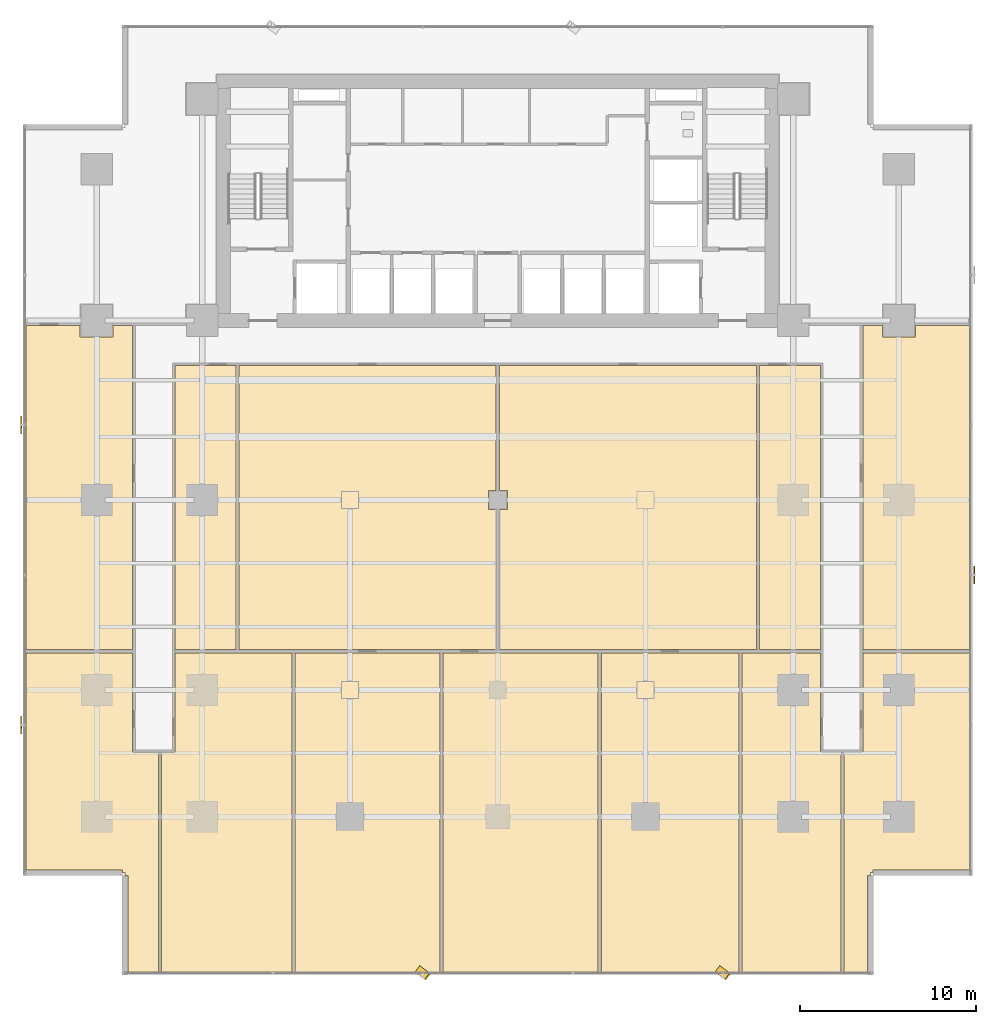
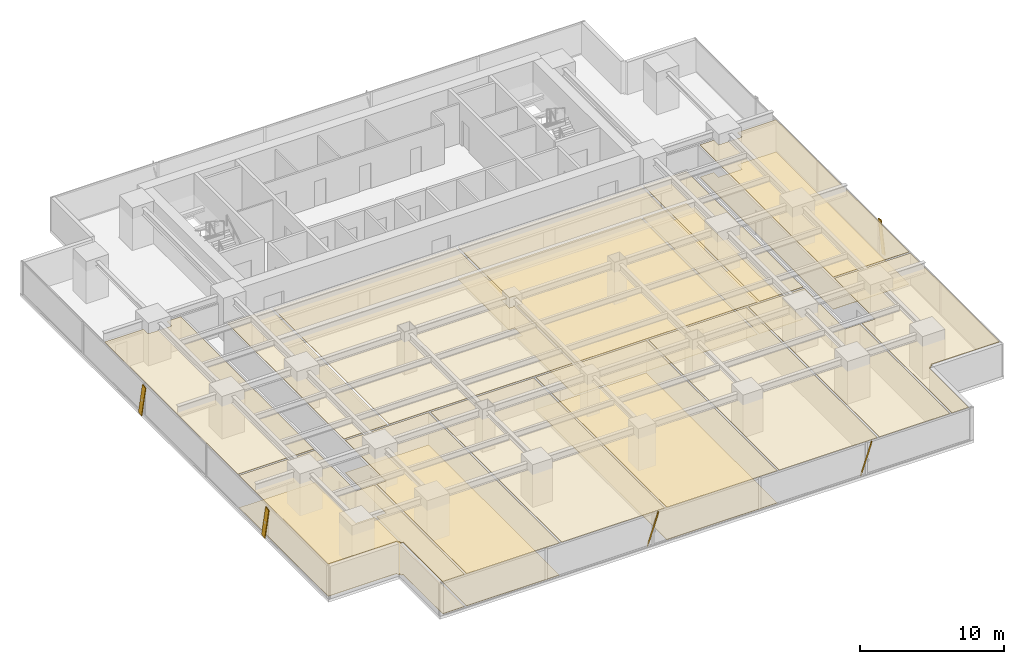
# One storey, part 30 of 34: 19 coverings, 5 shading devices.
"""IFC4 building model written with IfcOpenShell, lengths in metres."""

from ifc_helpers import new_model, si_unit, direction, frame, origin, origin_2d, place, context, subcontext, project, spatial, polyline, rectangle, outline, extrude, source, transform, mapped, material, layer, layer_set, material_profile, profile_set, type_object, element, save


model = new_model("IFC4")

# Units and contexts
model_context = context("Model", 3, precision=1e-05, world=origin(), true_north=direction((0.0, 1.0)))
body_context = subcontext(model_context, "Body", "Model", "MODEL_VIEW")
ifc_project = project(units=[si_unit("LENGTHUNIT", "METRE"), si_unit("AREAUNIT", "SQUARE_METRE"), si_unit("VOLUMEUNIT", "CUBIC_METRE"), si_unit("PLANEANGLEUNIT", "RADIAN"), si_unit("MASSUNIT", "GRAM", prefix="KILO")], contexts=[model_context])

# Site, building, storey
site_placement = place(None, origin())
site = spatial("IfcSite", under=ifc_project, at=site_placement, CompositionType="ELEMENT")
building_placement = place(site_placement, origin())
building = spatial("IfcBuilding", under=site, at=building_placement, Name="Sumidabori Civic Tower", CompositionType="ELEMENT")
storey_placement = place(building_placement, frame((0.0, 0.0, 41.60009765625)))
storey = spatial("IfcBuildingStorey", under=building, at=storey_placement, Name="L10", CompositionType="ELEMENT", Elevation=41.60009765625)

# Coverings
ifc_material_1 = material(Name="Perforated Timber Acoustic Ceiling", Category="wood")
ifc_layer_1 = layer(ifc_material_1, 0.044921875, Name="Perforated Timber Acoustic Ceiling")
ifc_layer_set_1 = layer_set([ifc_layer_1], Name="Perforated Timber Acoustic Ceiling")
covering_type_1 = type_object("IfcCoveringType", Name="CV-CEIL-AC2", PredefinedType="CEILING", material=ifc_layer_set_1)
covering_1_placement = place(storey_placement, frame((0.0, 0.0, 2.7099609375)))
element("IfcCovering", 1, at=covering_1_placement, inside=storey, type_object=covering_type_1, Name="Room Acoustic Ceiling L10-02", PredefinedType="CEILING", context=body_context, shape_type="SweptSolid", body=[
    extrude(outline(polyline([(-26.830078125, -8.512451171875), (-26.830078125, 9.91259765625), (-23.739990234375, 9.91259765625), (-23.739990234375, 9.260009765625), (-21.860107421875, 9.260009765625), (-21.860107421875, 9.91259765625), (-20.7548828125, 9.91259765625), (-20.7548828125, -8.512451171875), (-26.830078125, -8.512451171875)])), origin(), (0.0, 0.0, 1.0), 0.044921875),
])
covering_2_placement = place(storey_placement, frame((0.0, 0.0, 2.7099609375)))
element("IfcCovering", 2, at=covering_2_placement, inside=storey, type_object=covering_type_1, Name="Room Acoustic Ceiling L10-03", PredefinedType="CEILING", context=body_context, shape_type="SweptSolid", body=[
    extrude(outline(polyline([(20.7548828125, 9.91259765625), (21.860107421875, 9.91259765625), (21.860107421875, 9.260009765625), (23.739990234375, 9.260009765625), (23.739990234375, 9.91259765625), (26.830078125, 9.91259765625), (26.830078125, -8.512451171875), (20.7548828125, -8.512451171875), (20.7548828125, 9.91259765625)])), origin(), (0.0, 0.0, 1.0), 0.044921875),
])
covering_3_placement = place(storey_placement, frame((0.0, 0.0, 2.7099609375)))
element("IfcCovering", 3, at=covering_3_placement, inside=storey, type_object=covering_type_1, Name="Room Acoustic Ceiling L10-04", PredefinedType="CEILING", context=body_context, shape_type="SweptSolid", body=[
    extrude(outline(polyline([(-14.71240234375, 7.64501953125), (-0.08740234375, 7.64501953125), (-0.08740234375, 0.5400390625), (-0.5400390625, 0.5400390625), (-0.5400390625, -0.5400390625), (-0.08740234375, -0.5400390625), (-0.08740234375, -8.512451171875), (-14.71240234375, -8.512451171875), (-14.71240234375, 7.64501953125)])), origin(), (0.0, 0.0, 1.0), 0.044921875),
])
covering_4_placement = place(storey_placement, frame((0.0, 0.0, 2.7099609375)))
element("IfcCovering", 4, at=covering_4_placement, inside=storey, type_object=covering_type_1, Name="Room Acoustic Ceiling L10-05", PredefinedType="CEILING", context=body_context, shape_type="SweptSolid", body=[
    extrude(outline(polyline([(0.08740234375, -0.5400390625), (0.5400390625, -0.5400390625), (0.5400390625, 0.5400390625), (0.08740234375, 0.5400390625), (0.08740234375, 7.64501953125), (14.71240234375, 7.64501953125), (14.71240234375, -8.512451171875), (0.08740234375, -8.512451171875), (0.08740234375, -0.5400390625)])), origin(), (0.0, 0.0, 1.0), 0.044921875),
])
covering_5_placement = place(storey_placement, frame((0.0, 0.0, 2.7099609375)))
element("IfcCovering", 5, at=covering_5_placement, inside=storey, type_object=covering_type_1, Name="Room Acoustic Ceiling L10-06", PredefinedType="CEILING", context=body_context, shape_type="SweptSolid", body=[
    extrude(outline(polyline([(-18.344970703125, 7.64501953125), (-14.887451171875, 7.64501953125), (-14.887451171875, -8.512451171875), (-18.344970703125, -8.512451171875), (-18.344970703125, 7.64501953125)])), origin(), (0.0, 0.0, 1.0), 0.044921875),
])
covering_6_placement = place(storey_placement, frame((0.0, 0.0, 2.7099609375)))
element("IfcCovering", 6, at=covering_6_placement, inside=storey, type_object=covering_type_1, Name="Room Acoustic Ceiling L10-07", PredefinedType="CEILING", context=body_context, shape_type="SweptSolid", body=[
    extrude(outline(polyline([(14.887451171875, 7.64501953125), (18.344970703125, 7.64501953125), (18.344970703125, -8.512451171875), (14.887451171875, -8.512451171875), (14.887451171875, 7.64501953125)])), origin(), (0.0, 0.0, 1.0), 0.044921875),
])
covering_7_placement = place(storey_placement, frame((0.0, 0.0, 2.7099609375)))
element("IfcCovering", 7, at=covering_7_placement, inside=storey, type_object=covering_type_1, Name="Room Acoustic Ceiling L10-08", PredefinedType="CEILING", context=body_context, shape_type="SweptSolid", body=[
    extrude(outline(polyline([(20.73974609375, -14.35498046875), (20.7548828125, -14.347412109375), (20.7548828125, -8.6875), (26.830078125, -8.6875), (26.830078125, -21.02197265625), (21.342041015625, -21.02197265625), (21.342041015625, -21.179931640625), (21.179931640625, -21.179931640625), (21.179931640625, -21.342041015625), (21.02197265625, -21.342041015625), (21.02197265625, -26.830078125), (19.6875, -26.830078125), (19.6875, -14.35498046875), (20.73974609375, -14.35498046875)])), origin(), (0.0, 0.0, 1.0), 0.044921875),
])
covering_8_placement = place(storey_placement, frame((0.0, 0.0, 2.7099609375)))
element("IfcCovering", 8, at=covering_8_placement, inside=storey, type_object=covering_type_1, Name="Room Acoustic Ceiling L10-09", PredefinedType="CEILING", context=body_context, shape_type="SweptSolid", body=[
    extrude(outline(polyline([(-26.830078125, -21.02197265625), (-26.830078125, -8.6875), (-20.7548828125, -8.6875), (-20.7548828125, -14.347412109375), (-20.73974609375, -14.35498046875), (-19.28759765625, -14.35498046875), (-19.28759765625, -26.830078125), (-21.02197265625, -26.830078125), (-21.02197265625, -21.342041015625), (-21.179931640625, -21.342041015625), (-21.179931640625, -21.179931640625), (-21.342041015625, -21.179931640625), (-21.342041015625, -21.02197265625), (-26.830078125, -21.02197265625)])), origin(), (0.0, 0.0, 1.0), 0.044921875),
])
covering_9_placement = place(storey_placement, frame((0.0, 0.0, 2.7099609375)))
element("IfcCovering", 9, at=covering_9_placement, inside=storey, type_object=covering_type_1, Name="Room Acoustic Ceiling L10-10", PredefinedType="CEILING", context=body_context, shape_type="SweptSolid", body=[
    extrude(outline(polyline([(-3.28759765625, -26.830078125), (-11.512451171875, -26.830078125), (-11.512451171875, -8.6875), (-3.28759765625, -8.6875), (-3.28759765625, -26.830078125)])), origin(), (0.0, 0.0, 1.0), 0.044921875),
])
covering_10_placement = place(storey_placement, frame((0.0, 0.0, 2.7099609375)))
element("IfcCovering", 10, at=covering_10_placement, inside=storey, type_object=covering_type_1, Name="Room Acoustic Ceiling L10-11", PredefinedType="CEILING", context=body_context, shape_type="SweptSolid", body=[
    extrude(outline(polyline([(5.71240234375, -26.830078125), (-3.112548828125, -26.830078125), (-3.112548828125, -8.6875), (5.71240234375, -8.6875), (5.71240234375, -26.830078125)])), origin(), (0.0, 0.0, 1.0), 0.044921875),
])
covering_11_placement = place(storey_placement, frame((0.0, 0.0, 2.7099609375)))
element("IfcCovering", 11, at=covering_11_placement, inside=storey, type_object=covering_type_1, Name="Room Acoustic Ceiling L10-12", PredefinedType="CEILING", context=body_context, shape_type="SweptSolid", body=[
    extrude(outline(polyline([(13.71240234375, -26.830078125), (5.887451171875, -26.830078125), (5.887451171875, -8.6875), (13.71240234375, -8.6875), (13.71240234375, -26.830078125)])), origin(), (0.0, 0.0, 1.0), 0.044921875),
])
covering_12_placement = place(storey_placement, frame((0.0, 0.0, 2.7099609375)))
element("IfcCovering", 12, at=covering_12_placement, inside=storey, type_object=covering_type_1, Name="Room Acoustic Ceiling L10-13", PredefinedType="CEILING", context=body_context, shape_type="SweptSolid", body=[
    extrude(outline(polyline([(-18.344970703125, -14.35498046875), (-18.344970703125, -8.6875), (-11.6875, -8.6875), (-11.6875, -26.830078125), (-19.112548828125, -26.830078125), (-19.112548828125, -14.35498046875), (-18.344970703125, -14.35498046875)])), origin(), (0.0, 0.0, 1.0), 0.044921875),
])
covering_13_placement = place(storey_placement, frame((0.0, 0.0, 2.7099609375)))
element("IfcCovering", 13, at=covering_13_placement, inside=storey, type_object=covering_type_1, Name="Room Acoustic Ceiling L10-14", PredefinedType="CEILING", context=body_context, shape_type="SweptSolid", body=[
    extrude(outline(polyline([(18.344970703125, -14.35498046875), (19.512451171875, -14.35498046875), (19.512451171875, -26.830078125), (13.887451171875, -26.830078125), (13.887451171875, -8.6875), (18.344970703125, -8.6875), (18.344970703125, -14.35498046875)])), origin(), (0.0, 0.0, 1.0), 0.044921875),
])
ifc_material_2 = material(Name="Honed Terrazzo Tile Flooring")
ifc_layer_2 = layer(ifc_material_2, 0.030029296875, Name="Honed Terrazzo Tile Flooring")
ifc_layer_set_2 = layer_set([ifc_layer_2], Name="Honed Terrazzo Tile Flooring")
covering_type_2 = type_object("IfcCoveringType", Name="CV-FLR-TER", PredefinedType="FLOORING", material=ifc_layer_set_2)
covering_14_placement = place(storey_placement, origin())
element("IfcCovering", 14, at=covering_14_placement, inside=storey, type_object=covering_type_2, Name="Room Terrazzo Floor L10-03", PredefinedType="FLOORING", context=body_context, shape_type="SweptSolid", body=[
    extrude(outline(polyline([(20.7548828125, 9.91259765625), (21.860107421875, 9.91259765625), (21.860107421875, 9.260009765625), (23.739990234375, 9.260009765625), (23.739990234375, 9.91259765625), (26.830078125, 9.91259765625), (26.830078125, -8.512451171875), (20.7548828125, -8.512451171875), (20.7548828125, 9.91259765625)])), origin(), (0.0, 0.0, 1.0), 0.02978515625),
])
covering_15_placement = place(storey_placement, origin())
element("IfcCovering", 15, at=covering_15_placement, inside=storey, type_object=covering_type_2, Name="Room Terrazzo Floor L10-05", PredefinedType="FLOORING", context=body_context, shape_type="SweptSolid", body=[
    extrude(outline(polyline([(0.08740234375, -0.5400390625), (0.5400390625, -0.5400390625), (0.5400390625, 0.5400390625), (0.08740234375, 0.5400390625), (0.08740234375, 7.64501953125), (14.71240234375, 7.64501953125), (14.71240234375, -8.512451171875), (0.08740234375, -8.512451171875), (0.08740234375, -0.5400390625)])), origin(), (0.0, 0.0, 1.0), 0.02978515625),
])
covering_16_placement = place(storey_placement, origin())
element("IfcCovering", 16, at=covering_16_placement, inside=storey, type_object=covering_type_2, Name="Room Terrazzo Floor L10-07", PredefinedType="FLOORING", context=body_context, shape_type="SweptSolid", body=[
    extrude(outline(polyline([(14.887451171875, 7.64501953125), (18.344970703125, 7.64501953125), (18.344970703125, -8.512451171875), (14.887451171875, -8.512451171875), (14.887451171875, 7.64501953125)])), origin(), (0.0, 0.0, 1.0), 0.02978515625),
])
covering_17_placement = place(storey_placement, origin())
element("IfcCovering", 17, at=covering_17_placement, inside=storey, type_object=covering_type_2, Name="Room Terrazzo Floor L10-09", PredefinedType="FLOORING", context=body_context, shape_type="SweptSolid", body=[
    extrude(outline(polyline([(-26.830078125, -21.02197265625), (-26.830078125, -8.6875), (-20.7548828125, -8.6875), (-20.7548828125, -14.347412109375), (-20.73974609375, -14.35498046875), (-19.28759765625, -14.35498046875), (-19.28759765625, -26.830078125), (-21.02197265625, -26.830078125), (-21.02197265625, -21.342041015625), (-21.179931640625, -21.342041015625), (-21.179931640625, -21.179931640625), (-21.342041015625, -21.179931640625), (-21.342041015625, -21.02197265625), (-26.830078125, -21.02197265625)])), origin(), (0.0, 0.0, 1.0), 0.02978515625),
])
covering_18_placement = place(storey_placement, origin())
element("IfcCovering", 18, at=covering_18_placement, inside=storey, type_object=covering_type_2, Name="Room Terrazzo Floor L10-11", PredefinedType="FLOORING", context=body_context, shape_type="SweptSolid", body=[
    extrude(outline(polyline([(5.71240234375, -26.830078125), (-3.112548828125, -26.830078125), (-3.112548828125, -8.6875), (5.71240234375, -8.6875), (5.71240234375, -26.830078125)])), origin(), (0.0, 0.0, 1.0), 0.02978515625),
])
covering_19_placement = place(storey_placement, origin())
element("IfcCovering", 19, at=covering_19_placement, inside=storey, type_object=covering_type_2, Name="Room Terrazzo Floor L10-13", PredefinedType="FLOORING", context=body_context, shape_type="SweptSolid", body=[
    extrude(outline(polyline([(-18.344970703125, -14.35498046875), (-18.344970703125, -8.6875), (-11.6875, -8.6875), (-11.6875, -26.830078125), (-19.112548828125, -26.830078125), (-19.112548828125, -14.35498046875), (-18.344970703125, -14.35498046875)])), origin(), (0.0, 0.0, 1.0), 0.02978515625),
])

# Shading devices
ifc_material_3 = material(Name="Anodised Bronze Aluminium AW-6063-T6", Category="aluminium")
ifc_material_profile = material_profile(ifc_material_3, rectangle(XDim=0.06005859375, YDim=0.449951171875, at=origin_2d()), Name="BRONZE FIN 450x60")
ifc_profile_set = profile_set([ifc_material_profile], Name="Anodised Bronze Aluminium AW-6063-T6")
shading_device_type = type_object("IfcShadingDeviceType", Name="SH-FIN-450", PredefinedType="USERDEFINED", material=ifc_profile_set)
shared_shape_1 = source(origin(), body_context, "Body", "SweptSolid", [
    extrude(rectangle(XDim=0.06005859375, YDim=0.449951171875, at=origin_2d()), origin(), (0.0, 0.0, 1.0), 2.769775390625),
])
for number, where, z_axis, x_axis, name in (
    (20, (-4.5439453125, -26.669921875, 0.02001953125), (0.202195931323, -0.151691019096, 0.967526041035), (0.773939855131, -0.580623579198, -0.252771358975), "Bronze Anodised Diagonal Fin L10-02"),
    (21, (12.511962890625, -26.669921875, 0.02001953125), (0.202195931323, -0.151691019096, 0.967526041035), (0.773939855131, -0.580623579198, -0.252771358975), "Bronze Anodised Diagonal Fin L10-04"),
):
    element("IfcShadingDevice", number, at=place(storey_placement, frame(where, z_axis=z_axis, x_axis=x_axis)), inside=storey, type_object=shading_device_type, Name=name, ObjectType="FIN", PredefinedType="USERDEFINED", context=body_context, shape_type="MappedRepresentation", body=[
        mapped(shared_shape_1, transform((0.0, 0.0, 0.0), x_axis=(1.0, 0.0, 0.0), y_axis=(0.0, 1.0, 0.0), z_axis=(0.0, 0.0, 1.0), scale=1.0)),
    ])
shared_shape_2 = source(origin(), body_context, "Body", "SweptSolid", [
    extrude(rectangle(XDim=0.06005859375, YDim=0.449951171875, at=origin_2d()), origin(), (0.0, 0.0, 1.0), 2.73779296875),
])
for number, where, z_axis, x_axis, name in (
    (22, (27.090087890625, -4.5439453125, 0.02001953125), (0.0, 0.204563143937, 0.978853370093), (-1.0, 0.0, 0.0), "Bronze Anodised Diagonal Fin L10-02"),
    (23, (-27.090087890625, 4.5439453125, 0.02001953125), (0.0, -0.204563143937, 0.978853370093), (-1.0, 0.0, 0.0), "Bronze Anodised Diagonal Fin L10-02"),
    (24, (-27.090087890625, -12.511962890625, 0.02001953125), (0.0, -0.204563143937, 0.978853370093), (-1.0, 0.0, 0.0), "Bronze Anodised Diagonal Fin L10-04"),
):
    element("IfcShadingDevice", number, at=place(storey_placement, frame(where, z_axis=z_axis, x_axis=x_axis)), inside=storey, type_object=shading_device_type, Name=name, ObjectType="FIN", PredefinedType="USERDEFINED", context=body_context, shape_type="MappedRepresentation", body=[
        mapped(shared_shape_2, transform((0.0, 0.0, 0.0), x_axis=(1.0, 0.0, 0.0), y_axis=(0.0, 1.0, 0.0), z_axis=(0.0, 0.0, 1.0), scale=1.0)),
    ])

save(model, "model.ifc")
